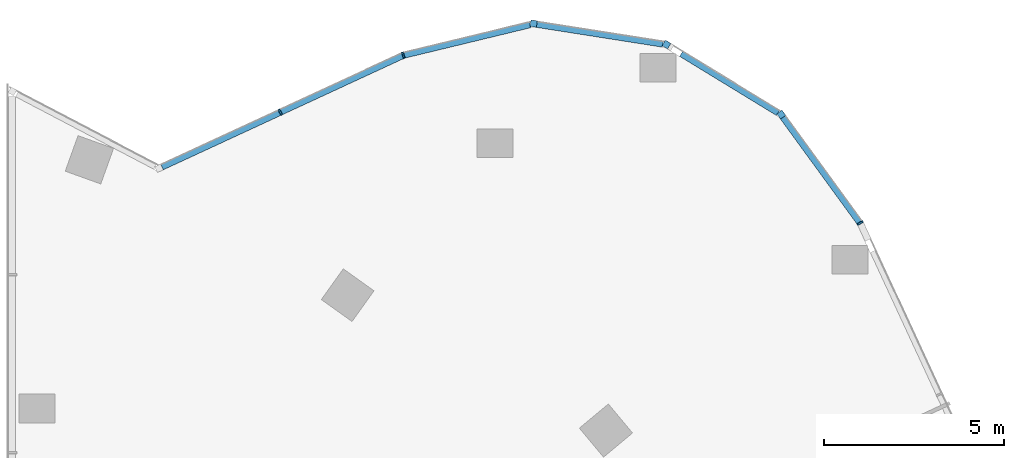
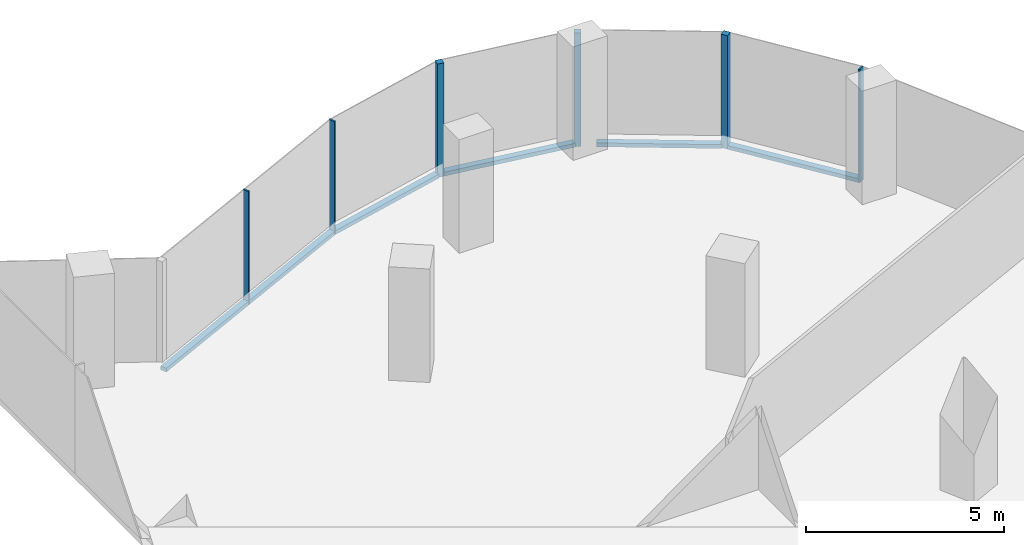
# One storey, part 11 of 23: 11 members, 6 elements without a shape of their own.
"""IFC4 building model written with IfcOpenShell, lengths in metres."""

import ifcopenshell
import ifcopenshell.guid

model = None  # the IFC model being written
_history = None  # IfcOwnerHistory: only IFC2X3 demands one
_inside = {}  # id of a spatial element -> (the spatial element, [elements in it])
_under = {}  # id of a project, library or spatial element -> (it, [spatial elements below it])
_declared = {}  # id of a project -> (the project, [libraries it declares])
_typed = {}  # id of a type object -> (the type object, [elements of that type])
_made_of = {}  # id of a material, layer set ... -> (it, [elements and type objects made of it])


def new_model(schema):
    """Start an empty IFC model of exactly this schema.

    Asked for "IFC4X3", IfcOpenShell would pick the latest addendum, in which some entities
    have other attributes; the version numbers below select the first issue.
    IFC2X3 requires an IfcOwnerHistory on every rooted entity: one is made here for all.
    """
    global model, _history
    if schema == "IFC4X3":
        model = ifcopenshell.file(schema_version=(4, 3, 0, 0))
    else:
        model = ifcopenshell.file(schema=schema)
    _inside.clear()
    _under.clear()
    _declared.clear()
    _typed.clear()
    _made_of.clear()
    _history = None
    if model.schema == "IFC2X3":
        org = make("IfcOrganization", Name="unknown")
        user = make(
            "IfcPersonAndOrganization",
            ThePerson=make("IfcPerson", FamilyName="unknown"),
            TheOrganization=org,
        )
        app = make(
            "IfcApplication",
            ApplicationDeveloper=org,
            Version="unknown",
            ApplicationFullName="unknown",
            ApplicationIdentifier="unknown",
        )
        _history = make(
            "IfcOwnerHistory",
            OwningUser=user,
            OwningApplication=app,
            ChangeAction="ADDED",
            CreationDate=0,
        )
    return model


def make(cls, **values):
    """One entity of the class cls with the attributes given. An attribute that is None is left unset."""
    return model.create_entity(
        cls, **{name: value for name, value in values.items() if value is not None}
    )


def rooted(cls, **values):
    """An entity with a GlobalId (a new one), such as an element, a storey or a relation."""
    return make(cls, GlobalId=ifcopenshell.guid.new(), OwnerHistory=_history, **values)


def si_unit(unit_type, name, prefix=None):
    """IfcSIUnit, for example si_unit("LENGTHUNIT", "METRE", prefix="MILLI")."""
    return make("IfcSIUnit", UnitType=unit_type, Prefix=prefix, Name=name)


def assignment(units):
    """IfcUnitAssignment: the units of a project."""
    return None if units is None else make("IfcUnitAssignment", Units=units)


def point(xyz):
    """IfcCartesianPoint."""
    return None if xyz is None else make("IfcCartesianPoint", Coordinates=xyz)


def direction(xyz):
    """IfcDirection."""
    return None if xyz is None else make("IfcDirection", DirectionRatios=xyz)


def frame(location, z_axis=None, x_axis=None):
    """IfcAxis2Placement3D, a coordinate frame: its origin and axes. An axis left out is left unset."""
    return make(
        "IfcAxis2Placement3D",
        Location=point(location),
        Axis=direction(z_axis),
        RefDirection=direction(x_axis),
    )


def frame_2d(location, x_axis=None):
    """IfcAxis2Placement2D, a coordinate frame in the plane: its origin and x axis."""
    return make(
        "IfcAxis2Placement2D", Location=point(location), RefDirection=direction(x_axis)
    )


def origin():
    """The frame at (0, 0, 0) with its axes left unset."""
    return frame((0.0, 0.0, 0.0))


def origin_2d():
    """The frame at (0, 0) in the plane with its x axis left unset."""
    return frame_2d((0.0, 0.0))


def place(relative_to, where):
    """IfcLocalPlacement: puts the frame where relative to a parent placement (None: the world)."""
    return make(
        "IfcLocalPlacement", PlacementRelTo=relative_to, RelativePlacement=where
    )


def context(
    kind, dimensions, precision=None, world=None, true_north=None, identifier=None
):
    """IfcGeometricRepresentationContext, for example the 3D "Model" context."""
    return make(
        "IfcGeometricRepresentationContext",
        ContextIdentifier=identifier,
        ContextType=kind,
        CoordinateSpaceDimension=dimensions,
        Precision=precision,
        WorldCoordinateSystem=world,
        TrueNorth=true_north,
    )


def subcontext(parent, identifier, kind, view, scale=None):
    """IfcGeometricRepresentationSubContext, for example "Body" below "Model"."""
    return make(
        "IfcGeometricRepresentationSubContext",
        ContextIdentifier=identifier,
        ContextType=kind,
        ParentContext=parent,
        TargetScale=scale,
        TargetView=view,
    )


def project(units=None, contexts=None):
    """IfcProject with its units and contexts."""
    return rooted(
        "IfcProject",
        Name="project",
        RepresentationContexts=contexts,
        UnitsInContext=assignment(units),
    )


def spatial(cls, under=None, at=None, **own):
    """A site, building, storey or space (cls), placed at a placement, below another one or the project."""
    s = rooted(cls, ObjectPlacement=at, **own)
    if under is not None:
        _under.setdefault(under.id(), (under, []))[1].append(s)
    return s


def profile(cls, at=None, kind="AREA", **sizes):
    """A parametric profile (cls). Its sizes go by their IFC names, for example OverallWidth=200.0."""
    return make(cls, ProfileType=kind, Position=at, **sizes)


def rectangle(**sizes):
    """IfcRectangleProfileDef."""
    return profile("IfcRectangleProfileDef", **sizes)


def extrude(swept, where, along, depth):
    """IfcExtrudedAreaSolid: the profile swept, set in the frame where, extruded along a direction by depth."""
    return make(
        "IfcExtrudedAreaSolid",
        SweptArea=swept,
        Position=where,
        ExtrudedDirection=direction(along),
        Depth=depth,
    )


def shape(context_of_items, identifier, shape_type, items):
    """IfcShapeRepresentation: the items that make up one representation, for example the "Body"."""
    return make(
        "IfcShapeRepresentation",
        ContextOfItems=context_of_items,
        RepresentationIdentifier=identifier,
        RepresentationType=shape_type,
        Items=items,
    )


def material(Name=None, Category=None):
    """IfcMaterial."""
    return make("IfcMaterial", Name=Name, Category=Category)


def material_profile(
    of_material, cross_section, Name=None, Category=None, Priority=None
):
    """IfcMaterialProfile: a cross section and its material."""
    return make(
        "IfcMaterialProfile",
        Name=Name,
        Material=of_material,
        Profile=cross_section,
        Priority=Priority,
        Category=Category,
    )


def profile_set(profiles, Name=None, composite=None):
    """IfcMaterialProfileSet."""
    return make(
        "IfcMaterialProfileSet",
        Name=Name,
        MaterialProfiles=profiles,
        CompositeProfile=composite,
    )


def made_of(thing, what):
    """Note that an element or type object is made of a material, layer set ...; save() writes the relation."""
    if what is not None:
        _made_of.setdefault(what.id(), (what, []))[1].append(thing)
    return thing


def type_object(cls, material=None, **own):
    """A type object (cls), such as IfcWallType, which elements share."""
    return made_of(rooted(cls, **own), material)


def element(
    cls,
    number,
    at=None,
    inside=None,
    cuts=None,
    type_object=None,
    material=None,
    context=None,
    identifier="Body",
    shape_type=None,
    held_by="IfcProductDefinitionShape",
    body=None,
    shapes=None,
    **own,
):
    """One element of the class cls, such as IfcWall. Its Tag is "e" and its number.

    at: its placement. inside: the storey or other place that contains it. cuts: it is an
    opening in that element (IfcRelVoidsElement). A single representation is given by context,
    identifier, shape_type and body (its items); several are given by shapes. held_by: the class
    of the entity that holds the representations. save() writes the other relations.
    """
    e = rooted(cls, Tag="e%d" % number, ObjectPlacement=at, **own)
    if body is not None:
        shapes = [shape(context, identifier, shape_type, body)]
    if shapes is not None:
        e.Representation = make(held_by, Representations=shapes)
    if inside is not None:
        _inside.setdefault(inside.id(), (inside, []))[1].append(e)
    if cuts is not None:
        rooted(
            "IfcRelVoidsElement", RelatingBuildingElement=cuts, RelatedOpeningElement=e
        )
    if type_object is not None:
        _typed.setdefault(type_object.id(), (type_object, []))[1].append(e)
    return made_of(e, material)


def aggregate(whole, parts):
    """IfcRelAggregates: a whole, such as a stair, and the parts it consists of."""
    return rooted("IfcRelAggregates", RelatingObject=whole, RelatedObjects=parts)


def save(model, path):
    """Write the relations noted so far, then the file.

    IfcRelAggregates (storeys below a building ...), IfcRelContainedInSpatialStructure (elements
    in a storey), IfcRelDefinesByType, IfcRelAssociatesMaterial and IfcRelDeclares: one each for
    every whole, place, type object, material and project.
    """
    for whole, parts in _under.values():
        aggregate(whole, parts)
    for where, things in _inside.values():
        rooted(
            "IfcRelContainedInSpatialStructure",
            RelatedElements=things,
            RelatingStructure=where,
        )
    for kind, things in _typed.values():
        rooted("IfcRelDefinesByType", RelatedObjects=things, RelatingType=kind)
    for what, things in _made_of.values():
        rooted("IfcRelAssociatesMaterial", RelatedObjects=things, RelatingMaterial=what)
    for by, libraries in _declared.values():
        rooted("IfcRelDeclares", RelatingContext=by, RelatedDefinitions=libraries)
    model.write(path)


model = new_model("IFC4")

# Units and contexts
model_context = context("Model", 3, precision=1e-05, world=origin(), true_north=direction((0.0, 1.0)))
body_context = subcontext(model_context, "Body", "Model", "MODEL_VIEW")
ifc_project = project(units=[si_unit("LENGTHUNIT", "METRE"), si_unit("AREAUNIT", "SQUARE_METRE"), si_unit("VOLUMEUNIT", "CUBIC_METRE"), si_unit("PLANEANGLEUNIT", "RADIAN"), si_unit("MASSUNIT", "GRAM", prefix="KILO")], contexts=[model_context])

# Site, building, storey
site_placement = place(None, origin())
site = spatial("IfcSite", under=ifc_project, at=site_placement, CompositionType="ELEMENT")
building_placement = place(site_placement, origin())
building = spatial("IfcBuilding", under=site, at=building_placement, Name="Orlundy Tower", CompositionType="ELEMENT")
storey_placement = place(building_placement, frame((0.0, 0.0, 260.5)))
storey = spatial("IfcBuildingStorey", under=building, at=storey_placement, Name="L69", CompositionType="ELEMENT", Elevation=260.5)

# Curtain wall, member
ifc_material_1 = material(Name="Aluminium bronze anodised", Category="aluminium")
curtain_wall_type = type_object("IfcCurtainWallType", Name="CW1 wall", PredefinedType="NOTDEFINED", material=ifc_material_1)
curtain_wall_1_placement = place(storey_placement, origin())
curtain_wall_1 = element("IfcCurtainWall", 1, at=curtain_wall_1_placement, inside=storey, type_object=curtain_wall_type, Name="CW1 run 12", PredefinedType="NOTDEFINED")
ifc_material_2 = material(Name="Aluminium bronze anodised", Category="aluminium")
ifc_material_profile_1 = material_profile(ifc_material_2, rectangle(XDim=0.179931640625, YDim=0.179931640625, at=origin_2d()), Name="CW1 corner post 180x180")
ifc_profile_set_1 = profile_set([ifc_material_profile_1], Name="Aluminium bronze anodised")
member_type_1 = type_object("IfcMemberType", Name="CW1 corner post 180x180", PredefinedType="MULLION", material=ifc_profile_set_1)
member_1_placement = place(storey_placement, frame((22.42529296875, 31.712646484375, -0.39990234375), z_axis=(0.0, 0.0, 1.0), x_axis=(0.15511748157, 0.987896030416, 0.0)))
member_1 = element("IfcMember", 2, at=member_1_placement, type_object=member_type_1, Name="CW1 mullion 4", PredefinedType="MULLION", context=body_context, shape_type="SweptSolid", body=[
    extrude(rectangle(XDim=0.179931640625, YDim=0.179931640625, at=origin_2d()), origin(), (0.0, 0.0, 1.0), 3.5),
])

curtain_wall_2_placement = place(storey_placement, origin())
curtain_wall_2 = element("IfcCurtainWall", 3, at=curtain_wall_2_placement, inside=storey, type_object=curtain_wall_type, Name="CW1 run 13", PredefinedType="NOTDEFINED")
member_2_placement = place(storey_placement, frame((26.12255859375, 31.132080078125, -0.39990234375), z_axis=(0.0, 0.0, 1.0), x_axis=(0.521144468768, 0.853468477843, 0.0)))
member_2 = element("IfcMember", 4, at=member_2_placement, type_object=member_type_1, Name="CW1 mullion 5", PredefinedType="MULLION", context=body_context, shape_type="SweptSolid", body=[
    extrude(rectangle(XDim=0.179931640625, YDim=0.179931640625, at=origin_2d()), origin(), (0.0, 0.0, 1.0), 3.5),
])

curtain_wall_3_placement = place(storey_placement, origin())
curtain_wall_3 = element("IfcCurtainWall", 5, at=curtain_wall_3_placement, inside=storey, type_object=curtain_wall_type, Name="CW1 run 14", PredefinedType="NOTDEFINED")
member_3_placement = place(storey_placement, frame((29.317138671875, 29.181396484375, -0.39990234375), z_axis=(0.0, 0.0, 1.0), x_axis=(0.80821081742, 0.588893262489, 0.0)))
member_3 = element("IfcMember", 6, at=member_3_placement, type_object=member_type_1, Name="CW1 mullion 6", PredefinedType="MULLION", context=body_context, shape_type="SweptSolid", body=[
    extrude(rectangle(XDim=0.179931640625, YDim=0.179931640625, at=origin_2d()), origin(), (0.0, 0.0, 1.0), 3.5),
])

curtain_wall_4_placement = place(storey_placement, origin())
curtain_wall_4 = element("IfcCurtainWall", 7, at=curtain_wall_4_placement, inside=storey, type_object=curtain_wall_type, Name="CW1 run 10", PredefinedType="NOTDEFINED")
ifc_material_3 = material(Name="Aluminium bronze anodised", Category="aluminium")
ifc_material_profile_2 = material_profile(ifc_material_3, rectangle(XDim=0.179931640625, YDim=0.050048828125, at=origin_2d()), Name="CW1 mullion 50x180")
ifc_profile_set_2 = profile_set([ifc_material_profile_2], Name="Aluminium bronze anodised")
member_type_2 = type_object("IfcMemberType", Name="CW1 mullion 50x180", PredefinedType="MULLION", material=ifc_profile_set_2)
member_4_placement = place(storey_placement, frame((15.37060546875, 29.250244140625, -0.39990234375), z_axis=(0.0, 0.0, 1.0), x_axis=(-0.419975748486, 0.907535327513, 0.0)))
member_4 = element("IfcMember", 8, at=member_4_placement, type_object=member_type_2, Name="CW1 mullion 2", PredefinedType="MULLION", context=body_context, shape_type="SweptSolid", body=[
    extrude(rectangle(XDim=0.179931640625, YDim=0.050048828125, at=origin_2d()), origin(), (0.0, 0.0, 1.0), 3.5),
])

curtain_wall_5_placement = place(storey_placement, origin())
curtain_wall_5 = element("IfcCurtainWall", 9, at=curtain_wall_5_placement, inside=storey, type_object=curtain_wall_type, Name="CW1 run 11", PredefinedType="NOTDEFINED")
member_5_placement = place(storey_placement, frame((18.796142578125, 30.83544921875, -0.39990234375), z_axis=(0.0, 0.0, 1.0), x_axis=(-0.329057666512, 0.944309828451, 0.0)))
member_5 = element("IfcMember", 10, at=member_5_placement, type_object=member_type_2, Name="CW1 mullion 3", PredefinedType="MULLION", context=body_context, shape_type="SweptSolid", body=[
    extrude(rectangle(XDim=0.179931640625, YDim=0.050048828125, at=origin_2d()), origin(), (0.0, 0.0, 1.0), 3.5),
])

curtain_wall_6_placement = place(storey_placement, origin())
curtain_wall_6 = element("IfcCurtainWall", 11, at=curtain_wall_6_placement, inside=storey, type_object=curtain_wall_type, Name="CW1 run 15", PredefinedType="NOTDEFINED")
member_6_placement = place(storey_placement, frame((31.515869140625, 26.163818359375, -0.39990234375), z_axis=(0.0, 0.0, 1.0), x_axis=(0.862024734365, 0.50686621247, 0.0)))
member_6 = element("IfcMember", 12, at=member_6_placement, type_object=member_type_2, Name="CW1 mullion 7", PredefinedType="MULLION", context=body_context, shape_type="SweptSolid", body=[
    extrude(rectangle(XDim=0.179931640625, YDim=0.050048828125, at=origin_2d()), origin(), (0.0, 0.0, 1.0), 3.5),
])
aggregate(curtain_wall_6, [member_6])

# Member
ifc_material_4 = material(Name="Aluminium bronze anodised", Category="aluminium")
ifc_material_profile_3 = material_profile(ifc_material_4, rectangle(XDim=0.179931640625, YDim=0.1201171875, at=origin_2d()), Name="CW1 transom 180x120")
ifc_profile_set_3 = profile_set([ifc_material_profile_3], Name="Aluminium bronze anodised")
member_type_3 = type_object("IfcMemberType", Name="CW1 transom 180x120", PredefinedType="USERDEFINED", material=ifc_profile_set_3)
member_7_placement = place(storey_placement, frame((12.0751953125, 27.72509765625, -0.340087890625), z_axis=(0.907528083861, 0.419991401107, 0.0), x_axis=(-0.419991401107, 0.907528083861, 0.0)))
member_7 = element("IfcMember", 13, at=member_7_placement, type_object=member_type_3, Name="CW1 transom", ObjectType="TRANSOM", PredefinedType="USERDEFINED", context=body_context, shape_type="SweptSolid", body=[
    extrude(rectangle(XDim=0.179931640625, YDim=0.1201171875, at=origin_2d()), origin(), (0.0, 0.0, 1.0), 7.380859375),
])

aggregate(curtain_wall_4, [member_4, member_7])

member_8_placement = place(storey_placement, frame((18.820556640625, 30.84130859375, -0.340087890625), z_axis=(0.972009843916, 0.23494012712, 0.0), x_axis=(-0.23494012712, 0.972009843916, 0.0)))
member_8 = element("IfcMember", 14, at=member_8_placement, type_object=member_type_3, Name="CW1 transom", ObjectType="TRANSOM", PredefinedType="USERDEFINED", context=body_context, shape_type="SweptSolid", body=[
    extrude(rectangle(XDim=0.179931640625, YDim=0.1201171875, at=origin_2d()), origin(), (0.0, 0.0, 1.0), 3.611083984375),
])

aggregate(curtain_wall_5, [member_5, member_8])

member_9_placement = place(storey_placement, frame((22.51416015625, 31.69873046875, -0.340087890625), z_axis=(0.987894570591, -0.155126778463, 0.0), x_axis=(0.155126778463, 0.987894570591, 0.0)))
member_9 = element("IfcMember", 15, at=member_9_placement, type_object=member_type_3, Name="CW1 transom", ObjectType="TRANSOM", PredefinedType="USERDEFINED", context=body_context, shape_type="SweptSolid", body=[
    extrude(rectangle(XDim=0.179931640625, YDim=0.1201171875, at=origin_2d()), origin(), (0.0, 0.0, 1.0), 3.55517578125),
])

aggregate(curtain_wall_1, [member_1, member_9])

member_10_placement = place(storey_placement, frame((26.534912109375, 30.88037109375, -0.340087890625), z_axis=(0.85346878169, -0.521143971164, 0.0), x_axis=(0.521143971164, 0.85346878169, 0.0)))
member_10 = element("IfcMember", 16, at=member_10_placement, type_object=member_type_3, Name="CW1 transom", ObjectType="TRANSOM", PredefinedType="USERDEFINED", context=body_context, shape_type="SweptSolid", body=[
    extrude(rectangle(XDim=0.179931640625, YDim=0.1201171875, at=origin_2d()), origin(), (0.0, 0.0, 1.0), 3.16259765625),
])

aggregate(curtain_wall_2, [member_2, member_10])

member_11_placement = place(storey_placement, frame((29.3701171875, 29.108642578125, -0.340087890625), z_axis=(0.588921607505, -0.808190163398, 0.0), x_axis=(0.808190163398, 0.588921607505, 0.0)))
member_11 = element("IfcMember", 17, at=member_11_placement, type_object=member_type_3, Name="CW1 transom", ObjectType="TRANSOM", PredefinedType="USERDEFINED", context=body_context, shape_type="SweptSolid", body=[
    extrude(rectangle(XDim=0.179931640625, YDim=0.1201171875, at=origin_2d()), origin(), (0.0, 0.0, 1.0), 3.61865234375),
])

aggregate(curtain_wall_3, [member_3, member_11])

save(model, "model.ifc")
